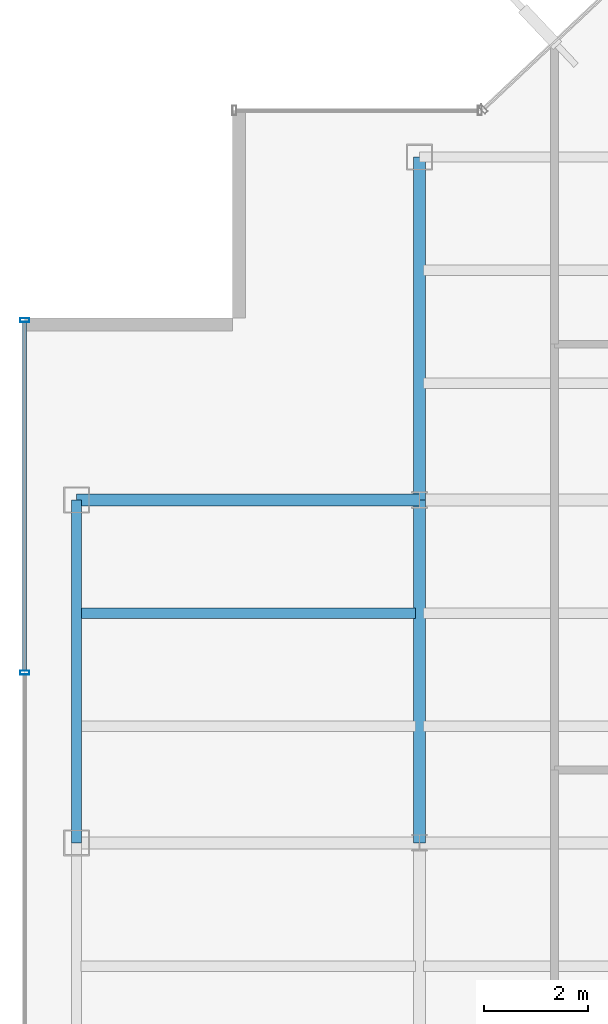
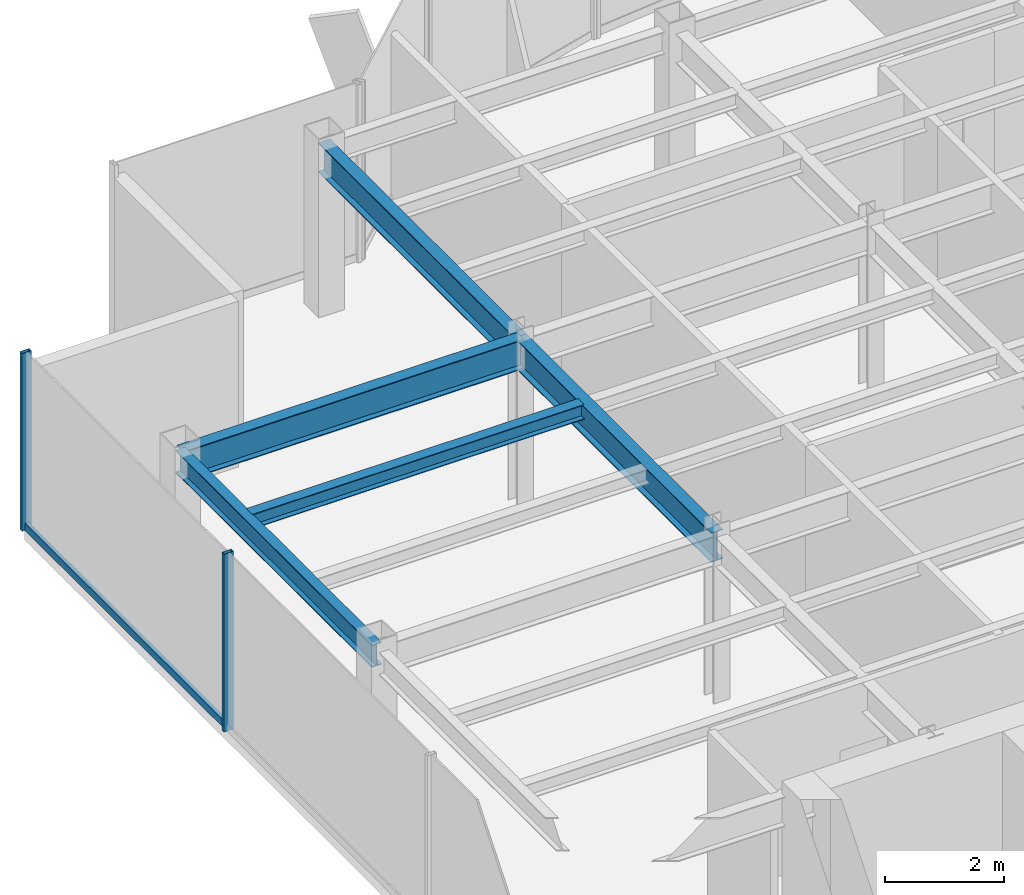
# One storey, part 7 of 22: 5 beams, 3 members, 1 element without a shape of its own.
"""IFC4 building model written with IfcOpenShell, lengths in metres."""

from ifc_helpers import new_model, si_unit, derived_unit, direction, frame, origin, origin_2d, place, context, subcontext, project, spatial, hollow_rectangle, i_section, extrude, source, transform, mapped, material, material_profile, profile_set, type_object, element, aggregate, save


model = new_model("IFC4")

# Units and contexts
model_context = context("Model", 3, precision=1e-05, world=origin(), true_north=direction((0.0, 1.0)))
body_context = subcontext(model_context, "Body", "Model", "MODEL_VIEW")
ifc_project = project(units=[si_unit("LENGTHUNIT", "METRE"), si_unit("AREAUNIT", "SQUARE_METRE"), si_unit("VOLUMEUNIT", "CUBIC_METRE"), si_unit("PLANEANGLEUNIT", "RADIAN"), si_unit("MASSUNIT", "GRAM", prefix="KILO"), derived_unit("THERMALTRANSMITTANCEUNIT", [(si_unit("POWERUNIT", "WATT"), 1), (si_unit("LENGTHUNIT", "METRE"), -2), (si_unit("THERMODYNAMICTEMPERATUREUNIT", "KELVIN"), -1)])], contexts=[model_context])

# Site, building, storey
site_placement = place(None, origin())
site = spatial("IfcSite", under=ifc_project, at=site_placement, CompositionType="ELEMENT")
building_placement = place(site_placement, origin())
building = spatial("IfcBuilding", under=site, at=building_placement, Name="Skarnbrae Concourse Arena and Tower", CompositionType="ELEMENT")
storey_placement = place(building_placement, frame((0.0, 0.0, 269.75)))
storey = spatial("IfcBuildingStorey", under=building, at=storey_placement, Name="L70", CompositionType="ELEMENT", Elevation=269.75)

# Beams
ifc_material_1 = material(Name="Steel CSA G40.21 350W", Category="steel")
ifc_material_profile_1 = material_profile(ifc_material_1, i_section(OverallWidth=0.22802734375, OverallDepth=0.60791015625, WebThickness=0.01123046875, FlangeThickness=0.017333984375, at=origin_2d()), Name="W610X113")
ifc_profile_set_1 = profile_set([ifc_material_profile_1], Name="Steel CSA G40.21 350W")
beam_type_1 = type_object("IfcBeamType", Name="BM-GIRD-W610X113", PredefinedType="BEAM", material=ifc_profile_set_1)
shared_shape_1 = source(origin(), body_context, "Body", "SweptSolid", [
    extrude(i_section(OverallWidth=0.22802734375, OverallDepth=0.60791015625, WebThickness=0.01123046875, FlangeThickness=0.017333984375, at=origin_2d()), origin(), (0.0, 0.0, 1.0), 6.60009765625),
])
for number, where, z_axis, x_axis, name in (
    (1, (1.0, 27.800048828125, 3.095947265625), (1.0, 0.0, 0.0), (0.0, 1.0, 0.0), "L70 Primary E-W girder Y27.8-1"),
    (2, (7.60009765625, 21.199951171875, 3.095947265625), (0.0, 1.0, 0.0), (-1.0, 0.0, 0.0), "L70 Primary N-S girder X7.6-2"),
):
    element("IfcBeam", number, at=place(storey_placement, frame(where, z_axis=z_axis, x_axis=x_axis)), inside=storey, type_object=beam_type_1, Name=name, PredefinedType="BEAM", context=body_context, shape_type="MappedRepresentation", body=[
        mapped(shared_shape_1, transform((0.0, 0.0, 0.0))),
    ])
ifc_material_profile_2 = material_profile(ifc_material_1, i_section(OverallWidth=0.19091796875, OverallDepth=0.4599609375, WebThickness=0.010009765625, FlangeThickness=0.01611328125, at=origin_2d()), Name="W460X82")
ifc_profile_set_2 = profile_set([ifc_material_profile_2], Name="Steel CSA G40.21 350W")
beam_type_2 = type_object("IfcBeamType", Name="BM-SPAN-W460X82", PredefinedType="SPANDREL", material=ifc_profile_set_2)
shared_shape_2 = source(origin(), body_context, "Body", "SweptSolid", [
    extrude(i_section(OverallWidth=0.19091796875, OverallDepth=0.4599609375, WebThickness=0.010009765625, FlangeThickness=0.01611328125, at=origin_2d()), origin(), (0.0, 0.0, 1.0), 6.60009765625),
])
beam_1_placement = place(storey_placement, frame((1.0, 21.199951171875, 3.169921875), z_axis=(0.0, 1.0, 0.0), x_axis=(-1.0, 0.0, 0.0)))
element("IfcBeam", 3, at=beam_1_placement, inside=storey, type_object=beam_type_2, Name="L70 Perimeter spandrel X1.0-3", PredefinedType="SPANDREL", context=body_context, shape_type="MappedRepresentation", body=[
    mapped(shared_shape_2, transform((0.0, 0.0, 0.0))),
])
shared_shape_3 = source(origin(), body_context, "Body", "SweptSolid", [
    extrude(i_section(OverallWidth=0.22802734375, OverallDepth=0.60791015625, WebThickness=0.01123046875, FlangeThickness=0.017333984375, at=origin_2d()), origin(), (0.0, 0.0, 1.0), 6.599853515625),
])
beam_2_placement = place(storey_placement, frame((7.60009765625, 27.800048828125, 3.095947265625), z_axis=(0.0, 1.0, 0.0), x_axis=(-1.0, 0.0, 0.0)))
element("IfcBeam", 4, at=beam_2_placement, inside=storey, type_object=beam_type_1, Name="L70 Primary N-S girder X7.6-3", PredefinedType="BEAM", context=body_context, shape_type="MappedRepresentation", body=[
    mapped(shared_shape_3, transform((0.0, 0.0, 0.0))),
])
ifc_material_profile_3 = material_profile(ifc_material_1, i_section(OverallWidth=0.202880859375, OverallDepth=0.302978515625, WebThickness=0.007568359375, FlangeThickness=0.01318359375, at=origin_2d()), Name="W310X60")
ifc_profile_set_3 = profile_set([ifc_material_profile_3], Name="Steel CSA G40.21 350W")
beam_type_3 = type_object("IfcBeamType", Name="BM-JOIST-W310X60", PredefinedType="JOIST", material=ifc_profile_set_3)
shared_shape_4 = source(origin(), body_context, "Body", "SweptSolid", [
    extrude(i_section(OverallWidth=0.202880859375, OverallDepth=0.302978515625, WebThickness=0.007568359375, FlangeThickness=0.01318359375, at=origin_2d()), origin(), (0.0, 0.0, 1.0), 6.43994140625),
])
beam_3_placement = place(storey_placement, frame((1.080078125, 25.6220703125, 3.24853515625), z_axis=(1.0, 0.0, 0.0), x_axis=(0.0, 1.0, 0.0)))
element("IfcBeam", 5, at=beam_3_placement, inside=storey, type_object=beam_type_3, Name="L70 Secondary floor joist 2.2.1", PredefinedType="JOIST", context=body_context, shape_type="MappedRepresentation", body=[
    mapped(shared_shape_4, transform((0.0, 0.0, 0.0))),
])

# Curtain wall, members
ifc_material_2 = material(Name="Bronze anodised aluminium 6063-T6", Category="aluminium")
curtain_wall_type = type_object("IfcCurtainWallType", Name="CW-SYS-05-HIGHZONE", PredefinedType="USERDEFINED", material=ifc_material_2)
curtain_wall_placement = place(storey_placement, origin())
curtain_wall = element("IfcCurtainWall", 6, at=curtain_wall_placement, inside=storey, type_object=curtain_wall_type, Name="L70 Unitised curtain wall CW-L70-E18", ObjectType="UNITISED CURTAIN WALL", PredefinedType="USERDEFINED")
ifc_material_profile_4 = material_profile(ifc_material_2, hollow_rectangle(XDim=0.074951171875, YDim=0.179931640625, WallThickness=0.00390625, at=origin_2d()), Name="ALU-MULL-75X180")
ifc_profile_set_4 = profile_set([ifc_material_profile_4], Name="Bronze anodised aluminium 6063-T6")
member_type_1 = type_object("IfcMemberType", Name="CWM-CW-05", PredefinedType="MULLION", material=ifc_profile_set_4)
shared_shape_5 = source(origin(), body_context, "Body", "SweptSolid", [
    extrude(hollow_rectangle(XDim=0.074951171875, YDim=0.179931640625, WallThickness=0.00390625, at=origin_2d()), origin(), (0.0, 0.0, 1.0), 3.64990234375),
])
member_1_placement = place(storey_placement, frame((0.0, 31.262451171875, 0.0), z_axis=(0.0, 0.0, 1.0), x_axis=(0.0, -1.0, 0.0)))
member_1 = element("IfcMember", 7, at=member_1_placement, type_object=member_type_1, Name="CW-L70-E18 Mullion 1", PredefinedType="MULLION", context=body_context, shape_type="MappedRepresentation", body=[
    mapped(shared_shape_5, transform((0.0, 0.0, 0.0))),
])
member_2_placement = place(storey_placement, frame((0.0, 24.47509765625, 0.0), z_axis=(0.0, 0.0, 1.0), x_axis=(0.0, -1.0, 0.0)))
member_2 = element("IfcMember", 8, at=member_2_placement, type_object=member_type_1, Name="CW-L70-E18 Mullion 2", PredefinedType="MULLION", context=body_context, shape_type="MappedRepresentation", body=[
    mapped(shared_shape_5, transform((0.0, 0.0, 0.0))),
])
ifc_material_profile_5 = material_profile(ifc_material_2, hollow_rectangle(XDim=0.074951171875, YDim=0.14990234375, WallThickness=0.00390625, at=origin_2d()), Name="ALU-TRAN-75X150")
ifc_profile_set_5 = profile_set([ifc_material_profile_5], Name="Bronze anodised aluminium 6063-T6")
member_type_2 = type_object("IfcMemberType", Name="CWT-CW-05", PredefinedType="USERDEFINED", material=ifc_profile_set_5)
shared_shape_6 = source(origin(), body_context, "Body", "SweptSolid", [
    extrude(hollow_rectangle(XDim=0.074951171875, YDim=0.14990234375, WallThickness=0.00390625, at=origin_2d()), origin(), (0.0, 0.0, 1.0), 6.712646484375),
])
member_3_placement = place(storey_placement, frame((0.0, 31.22509765625, 0.074951171875), z_axis=(0.0, -1.0, 0.0), x_axis=(1.0, 0.0, 0.0)))
member_3 = element("IfcMember", 9, at=member_3_placement, type_object=member_type_2, Name="CW-L70-E18 Transom 1", ObjectType="TRANSOM", PredefinedType="USERDEFINED", context=body_context, shape_type="MappedRepresentation", body=[
    mapped(shared_shape_6, transform((0.0, 0.0, 0.0))),
])
aggregate(curtain_wall, [member_1, member_2, member_3])

save(model, "model.ifc")
